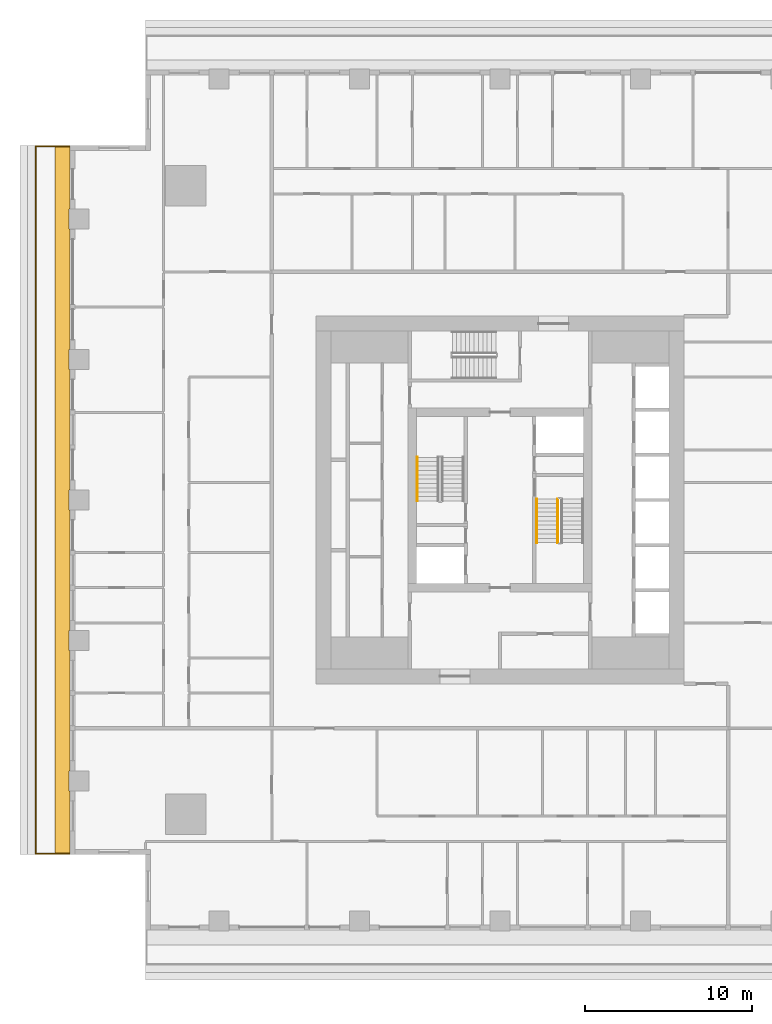
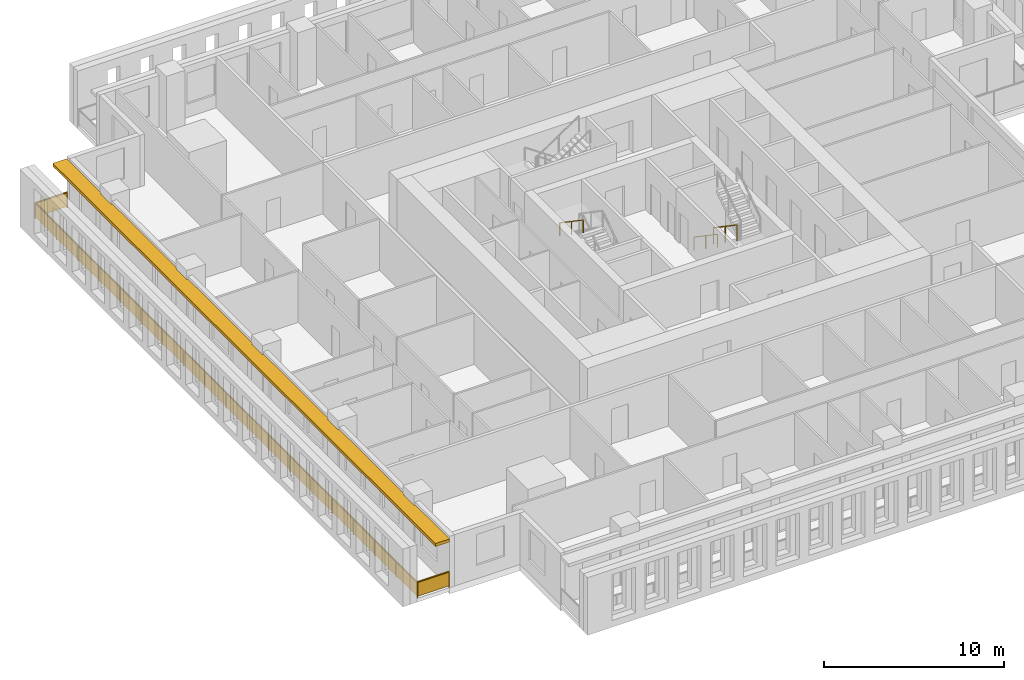
# One storey, part 11 of 15: 4 railings, 1 shading device.
"""IFC4 building model written with IfcOpenShell, lengths in metres."""

from ifc_helpers import new_model, si_unit, direction, frame, origin, origin_2d, place, context, subcontext, project, spatial, polyline, rectangle, outline, extrude, material, layer, layer_set, type_object, element, save


model = new_model("IFC4")

# Units and contexts
model_context = context("Model", 3, precision=1e-05, world=origin(), true_north=direction((0.0, 1.0)))
body_context = subcontext(model_context, "Body", "Model", "MODEL_VIEW")
ifc_project = project(units=[si_unit("LENGTHUNIT", "METRE"), si_unit("AREAUNIT", "SQUARE_METRE"), si_unit("VOLUMEUNIT", "CUBIC_METRE"), si_unit("PLANEANGLEUNIT", "RADIAN"), si_unit("MASSUNIT", "GRAM", prefix="KILO")], contexts=[model_context])

# Site, building, storey
site_placement = place(None, origin())
site = spatial("IfcSite", under=ifc_project, at=site_placement, CompositionType="ELEMENT")
building_placement = place(site_placement, origin())
building = spatial("IfcBuilding", under=site, at=building_placement, Name="Khepri Terraces", CompositionType="ELEMENT")
storey_placement = place(building_placement, frame((0.0, 0.0, 196.199951171875)))
storey = spatial("IfcBuildingStorey", under=building, at=storey_placement, Name="L46", CompositionType="ELEMENT", Elevation=196.199951171875)

# Railings
ifc_material_1 = material(Name="Stainless steel grade 316", Category="steel")
railing_type_1 = type_object("IfcRailingType", Name="GRD-BAL-1100", PredefinedType="GUARDRAIL", material=ifc_material_1)
railing_1_placement = place(storey_placement, frame((-25.719970703125, 21.169921875, 0.0)))
element("IfcRailing", 1, at=railing_1_placement, inside=storey, type_object=railing_type_1, Name="Balcony guard L46 W", PredefinedType="GUARDRAIL", context=body_context, shape_type="SweptSolid", body=[
    extrude(rectangle(XDim=0.050048828125, YDim=0.06005859375, at=origin_2d()), frame((0.0, 0.0, 1.070068359375), z_axis=(-1.0, 0.0, 0.0), x_axis=(0.0, -1.0, 0.0)), (0.0, 0.0, 1.0), 2.050048828125),
    extrude(rectangle(XDim=2.0, YDim=0.011962890625, at=origin_2d()), frame((-1.02490234375, 0.0, 0.10009765625), z_axis=(0.0, 0.0, 1.0), x_axis=(-1.0, 0.0, 0.0)), (0.0, 0.0, 1.0), 0.93994140625),
    extrude(rectangle(XDim=0.050048828125, YDim=0.06005859375, at=origin_2d()), frame((-2.050048828125, 0.0, 1.070068359375), z_axis=(0.0, -1.0, 0.0), x_axis=(1.0, 0.0, 0.0)), (0.0, 0.0, 1.0), 42.33984375),
    extrude(rectangle(XDim=2.30224609375, YDim=0.011962890625, at=origin_2d()), frame((-2.050048828125, -1.176025390625, 0.10009765625), z_axis=(0.0, 0.0, 1.0), x_axis=(0.0, -1.0, 0.0)), (0.0, 0.0, 1.0), 0.93994140625),
    extrude(rectangle(XDim=2.30224609375, YDim=0.011962890625, at=origin_2d()), frame((-2.050048828125, -3.5283203125, 0.10009765625), z_axis=(0.0, 0.0, 1.0), x_axis=(0.0, -1.0, 0.0)), (0.0, 0.0, 1.0), 0.93994140625),
    extrude(rectangle(XDim=2.30224609375, YDim=0.011962890625, at=origin_2d()), frame((-2.050048828125, -5.880615234375, 0.10009765625), z_axis=(0.0, 0.0, 1.0), x_axis=(0.0, -1.0, 0.0)), (0.0, 0.0, 1.0), 0.93994140625),
    extrude(rectangle(XDim=2.30224609375, YDim=0.011962890625, at=origin_2d()), frame((-2.050048828125, -8.232666015625, 0.10009765625), z_axis=(0.0, 0.0, 1.0), x_axis=(0.0, -1.0, 0.0)), (0.0, 0.0, 1.0), 0.93994140625),
    extrude(rectangle(XDim=2.30224609375, YDim=0.011962890625, at=origin_2d()), frame((-2.050048828125, -10.5849609375, 0.10009765625), z_axis=(0.0, 0.0, 1.0), x_axis=(0.0, -1.0, 0.0)), (0.0, 0.0, 1.0), 0.93994140625),
    extrude(rectangle(XDim=2.30224609375, YDim=0.011962890625, at=origin_2d()), frame((-2.050048828125, -12.937255859375, 0.10009765625), z_axis=(0.0, 0.0, 1.0), x_axis=(0.0, -1.0, 0.0)), (0.0, 0.0, 1.0), 0.93994140625),
    extrude(rectangle(XDim=2.30224609375, YDim=0.011962890625, at=origin_2d()), frame((-2.050048828125, -15.289306640625, 0.10009765625), z_axis=(0.0, 0.0, 1.0), x_axis=(0.0, -1.0, 0.0)), (0.0, 0.0, 1.0), 0.93994140625),
    extrude(rectangle(XDim=2.30224609375, YDim=0.011962890625, at=origin_2d()), frame((-2.050048828125, -17.6416015625, 0.10009765625), z_axis=(0.0, 0.0, 1.0), x_axis=(0.0, -1.0, 0.0)), (0.0, 0.0, 1.0), 0.93994140625),
    extrude(rectangle(XDim=2.30224609375, YDim=0.011962890625, at=origin_2d()), frame((-2.050048828125, -19.993896484375, 0.10009765625), z_axis=(0.0, 0.0, 1.0), x_axis=(0.0, -1.0, 0.0)), (0.0, 0.0, 1.0), 0.93994140625),
    extrude(rectangle(XDim=2.30224609375, YDim=0.011962890625, at=origin_2d()), frame((-2.050048828125, -22.345947265625, 0.10009765625), z_axis=(0.0, 0.0, 1.0), x_axis=(0.0, -1.0, 0.0)), (0.0, 0.0, 1.0), 0.93994140625),
    extrude(rectangle(XDim=2.30224609375, YDim=0.011962890625, at=origin_2d()), frame((-2.050048828125, -24.6982421875, 0.10009765625), z_axis=(0.0, 0.0, 1.0), x_axis=(0.0, -1.0, 0.0)), (0.0, 0.0, 1.0), 0.93994140625),
    extrude(rectangle(XDim=2.30224609375, YDim=0.011962890625, at=origin_2d()), frame((-2.050048828125, -27.050537109375, 0.10009765625), z_axis=(0.0, 0.0, 1.0), x_axis=(0.0, -1.0, 0.0)), (0.0, 0.0, 1.0), 0.93994140625),
    extrude(rectangle(XDim=2.30224609375, YDim=0.011962890625, at=origin_2d()), frame((-2.050048828125, -29.402587890625, 0.10009765625), z_axis=(0.0, 0.0, 1.0), x_axis=(0.0, -1.0, 0.0)), (0.0, 0.0, 1.0), 0.93994140625),
    extrude(rectangle(XDim=2.30224609375, YDim=0.011962890625, at=origin_2d()), frame((-2.050048828125, -31.7548828125, 0.10009765625), z_axis=(0.0, 0.0, 1.0), x_axis=(0.0, -1.0, 0.0)), (0.0, 0.0, 1.0), 0.93994140625),
    extrude(rectangle(XDim=2.30224609375, YDim=0.011962890625, at=origin_2d()), frame((-2.050048828125, -34.107177734375, 0.10009765625), z_axis=(0.0, 0.0, 1.0), x_axis=(0.0, -1.0, 0.0)), (0.0, 0.0, 1.0), 0.93994140625),
    extrude(rectangle(XDim=2.30224609375, YDim=0.011962890625, at=origin_2d()), frame((-2.050048828125, -36.459228515625, 0.10009765625), z_axis=(0.0, 0.0, 1.0), x_axis=(0.0, -1.0, 0.0)), (0.0, 0.0, 1.0), 0.93994140625),
    extrude(rectangle(XDim=2.30224609375, YDim=0.011962890625, at=origin_2d()), frame((-2.050048828125, -38.8115234375, 0.10009765625), z_axis=(0.0, 0.0, 1.0), x_axis=(0.0, -1.0, 0.0)), (0.0, 0.0, 1.0), 0.93994140625),
    extrude(rectangle(XDim=2.30224609375, YDim=0.011962890625, at=origin_2d()), frame((-2.050048828125, -41.163818359375, 0.10009765625), z_axis=(0.0, 0.0, 1.0), x_axis=(0.0, -1.0, 0.0)), (0.0, 0.0, 1.0), 0.93994140625),
    extrude(rectangle(XDim=0.050048828125, YDim=0.06005859375, at=origin_2d()), frame((-2.050048828125, -42.33984375, 1.070068359375), z_axis=(1.0, 0.0, 0.0), x_axis=(0.0, 1.0, 0.0)), (0.0, 0.0, 1.0), 2.050048828125),
    extrude(rectangle(XDim=2.0, YDim=0.011962890625, at=origin_2d()), frame((-1.02490234375, -42.33984375, 0.10009765625), z_axis=(0.0, 0.0, 1.0), x_axis=(1.0, 0.0, 0.0)), (0.0, 0.0, 1.0), 0.93994140625),
    extrude(rectangle(XDim=0.050048828125, YDim=0.050048828125, at=origin_2d()), origin(), (0.0, 0.0, 1.0), 1.0400390625),
    extrude(rectangle(XDim=0.050048828125, YDim=0.050048828125, at=origin_2d()), frame((-2.050048828125, 0.0, 0.0)), (0.0, 0.0, 1.0), 1.0400390625),
    extrude(rectangle(XDim=0.050048828125, YDim=0.050048828125, at=origin_2d()), frame((-2.050048828125, -2.352294921875, 0.0)), (0.0, 0.0, 1.0), 1.0400390625),
    extrude(rectangle(XDim=0.050048828125, YDim=0.050048828125, at=origin_2d()), frame((-2.050048828125, -4.704345703125, 0.0)), (0.0, 0.0, 1.0), 1.0400390625),
    extrude(rectangle(XDim=0.050048828125, YDim=0.050048828125, at=origin_2d()), frame((-2.050048828125, -7.056640625, 0.0)), (0.0, 0.0, 1.0), 1.0400390625),
    extrude(rectangle(XDim=0.050048828125, YDim=0.050048828125, at=origin_2d()), frame((-2.050048828125, -9.408935546875, 0.0)), (0.0, 0.0, 1.0), 1.0400390625),
    extrude(rectangle(XDim=0.050048828125, YDim=0.050048828125, at=origin_2d()), frame((-2.050048828125, -11.760986328125, 0.0)), (0.0, 0.0, 1.0), 1.0400390625),
    extrude(rectangle(XDim=0.050048828125, YDim=0.050048828125, at=origin_2d()), frame((-2.050048828125, -14.11328125, 0.0)), (0.0, 0.0, 1.0), 1.0400390625),
    extrude(rectangle(XDim=0.050048828125, YDim=0.050048828125, at=origin_2d()), frame((-2.050048828125, -16.465576171875, 0.0)), (0.0, 0.0, 1.0), 1.0400390625),
    extrude(rectangle(XDim=0.050048828125, YDim=0.050048828125, at=origin_2d()), frame((-2.050048828125, -18.817626953125, 0.0)), (0.0, 0.0, 1.0), 1.0400390625),
    extrude(rectangle(XDim=0.050048828125, YDim=0.050048828125, at=origin_2d()), frame((-2.050048828125, -21.169921875, 0.0)), (0.0, 0.0, 1.0), 1.0400390625),
    extrude(rectangle(XDim=0.050048828125, YDim=0.050048828125, at=origin_2d()), frame((-2.050048828125, -23.522216796875, 0.0)), (0.0, 0.0, 1.0), 1.0400390625),
    extrude(rectangle(XDim=0.050048828125, YDim=0.050048828125, at=origin_2d()), frame((-2.050048828125, -25.874267578125, 0.0)), (0.0, 0.0, 1.0), 1.0400390625),
    extrude(rectangle(XDim=0.050048828125, YDim=0.050048828125, at=origin_2d()), frame((-2.050048828125, -28.2265625, 0.0)), (0.0, 0.0, 1.0), 1.0400390625),
    extrude(rectangle(XDim=0.050048828125, YDim=0.050048828125, at=origin_2d()), frame((-2.050048828125, -30.578857421875, 0.0)), (0.0, 0.0, 1.0), 1.0400390625),
    extrude(rectangle(XDim=0.050048828125, YDim=0.050048828125, at=origin_2d()), frame((-2.050048828125, -32.930908203125, 0.0)), (0.0, 0.0, 1.0), 1.0400390625),
    extrude(rectangle(XDim=0.050048828125, YDim=0.050048828125, at=origin_2d()), frame((-2.050048828125, -35.283203125, 0.0)), (0.0, 0.0, 1.0), 1.0400390625),
    extrude(rectangle(XDim=0.050048828125, YDim=0.050048828125, at=origin_2d()), frame((-2.050048828125, -37.635498046875, 0.0)), (0.0, 0.0, 1.0), 1.0400390625),
    extrude(rectangle(XDim=0.050048828125, YDim=0.050048828125, at=origin_2d()), frame((-2.050048828125, -39.987548828125, 0.0)), (0.0, 0.0, 1.0), 1.0400390625),
    extrude(rectangle(XDim=0.050048828125, YDim=0.050048828125, at=origin_2d()), frame((-2.050048828125, -42.33984375, 0.0)), (0.0, 0.0, 1.0), 1.0400390625),
    extrude(rectangle(XDim=0.050048828125, YDim=0.050048828125, at=origin_2d()), frame((0.0, -42.33984375, 0.0)), (0.0, 0.0, 1.0), 1.0400390625),
])
ifc_material_2 = material(Name="Stainless steel 316", Category="steel")
railing_type_2 = type_object("IfcRailingType", Name="RL-CORE-GUARD", PredefinedType="GUARDRAIL", material=ifc_material_2)
railing_2_placement = place(storey_placement, frame((3.449951171875, 0.050048828125, 0.17724609375)))
element("IfcRailing", 2, at=railing_2_placement, inside=storey, type_object=railing_type_2, Name="L46 ST-2 stair guard 1", PredefinedType="GUARDRAIL", context=body_context, shape_type="SweptSolid", body=[
    extrude(rectangle(XDim=0.050048828125, YDim=0.06005859375, at=origin_2d()), frame((0.0, 0.0, 1.070068359375), z_axis=(0.0, -0.826240473404, 0.563317565952), x_axis=(1.0, 0.0, 0.0)), (0.0, 0.0, 1.0), 3.14697265625),
    extrude(rectangle(XDim=0.050048828125, YDim=0.050048828125, at=origin_2d()), origin(), (0.0, 0.0, 1.0), 1.0400390625),
    extrude(rectangle(XDim=0.050048828125, YDim=0.050048828125, at=origin_2d()), frame((0.0, -1.300048828125, 0.88623046875)), (0.0, 0.0, 1.0), 1.0400390625),
    extrude(rectangle(XDim=0.050048828125, YDim=0.050048828125, at=origin_2d()), frame((0.0, -2.60009765625, 1.772705078125)), (0.0, 0.0, 1.0), 1.0400390625),
])
railing_type_3 = type_object("IfcRailingType", Name="RL-CORE-HANDRAIL", PredefinedType="HANDRAIL", material=ifc_material_2)
for number, where, name in (
    (3, (-4.949951171875, 2.550048828125, 2.12744140625), "L46 ST-1 stair handrail 2"),
    (4, (2.199951171875, 0.050048828125, 0.17724609375), "L46 ST-2 stair handrail 1"),
):
    element("IfcRailing", number, at=place(storey_placement, frame(where)), inside=storey, type_object=railing_type_3, Name=name, PredefinedType="HANDRAIL", context=body_context, shape_type="SweptSolid", body=[
        extrude(rectangle(XDim=0.050048828125, YDim=0.050048828125, at=origin_2d()), frame((0.0, 0.0, 0.875), z_axis=(0.0, -0.826240473404, 0.563317565952), x_axis=(1.0, 0.0, 0.0)), (0.0, 0.0, 1.0), 3.14697265625),
        extrude(rectangle(XDim=0.050048828125, YDim=0.050048828125, at=origin_2d()), origin(), (0.0, 0.0, 1.0), 0.849853515625),
        extrude(rectangle(XDim=0.050048828125, YDim=0.050048828125, at=origin_2d()), frame((0.0, -1.300048828125, 0.88623046875)), (0.0, 0.0, 1.0), 0.849853515625),
        extrude(rectangle(XDim=0.050048828125, YDim=0.050048828125, at=origin_2d()), frame((0.0, -2.60009765625, 1.772705078125)), (0.0, 0.0, 1.0), 0.849853515625),
    ])

# Shading device
ifc_material_3 = material(Name="Precast concrete C50/60 warm stone", Category="masonry")
ifc_layer = layer(ifc_material_3, 0.199951171875, Name="Precast concrete C50/60 warm stone", Category="masonry")
ifc_layer_set = layer_set([ifc_layer], Name="Precast concrete C50/60 warm stone")
shading_device_type = type_object("IfcShadingDeviceType", Name="SSH-BAND-STONE-200", PredefinedType="USERDEFINED", material=ifc_layer_set)
shading_device_placement = place(storey_placement, frame((0.0, 0.0, 3.10009765625)))
element("IfcShadingDevice", 5, at=shading_device_placement, inside=storey, type_object=shading_device_type, Name="Sunshade band L46 W", ObjectType="SUNSHADE", PredefinedType="USERDEFINED", context=body_context, shape_type="SweptSolid", body=[
    extrude(outline(polyline([(-25.719970703125, 17.39990234375), (-25.719970703125, 21.219970703125), (-26.6201171875, 21.219970703125), (-26.6201171875, -21.219970703125), (-25.719970703125, -21.219970703125), (-25.719970703125, -17.39990234375), (-25.800048828125, -17.39990234375), (-25.800048828125, -16.199951171875), (-25.719970703125, -16.199951171875), (-25.719970703125, -9.0), (-25.800048828125, -9.0), (-25.800048828125, -7.800048828125), (-25.719970703125, -7.800048828125), (-25.719970703125, -0.60009765625), (-25.800048828125, -0.60009765625), (-25.800048828125, 0.60009765625), (-25.719970703125, 0.60009765625), (-25.719970703125, 7.800048828125), (-25.800048828125, 7.800048828125), (-25.800048828125, 9.0), (-25.719970703125, 9.0), (-25.719970703125, 16.199951171875), (-25.800048828125, 16.199951171875), (-25.800048828125, 17.39990234375), (-25.719970703125, 17.39990234375)])), origin(), (0.0, 0.0, 1.0), 0.199951171875),
])

save(model, "model.ifc")
